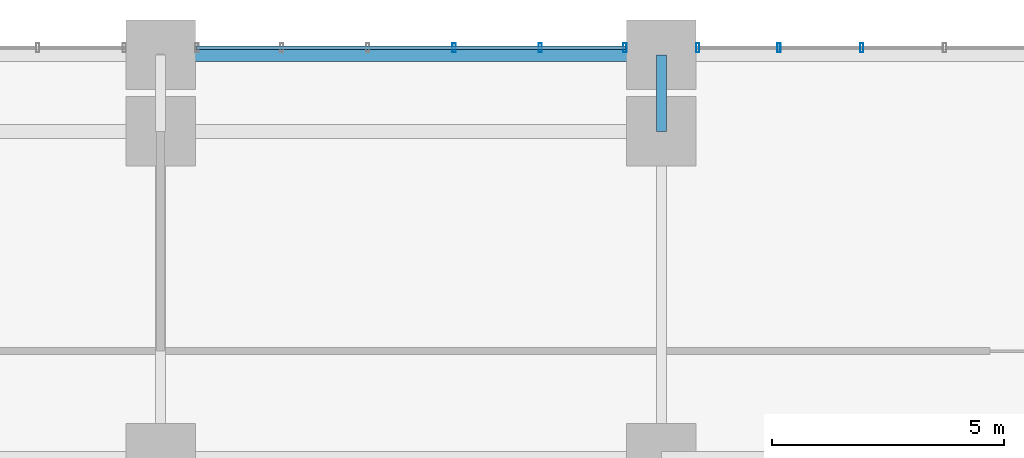
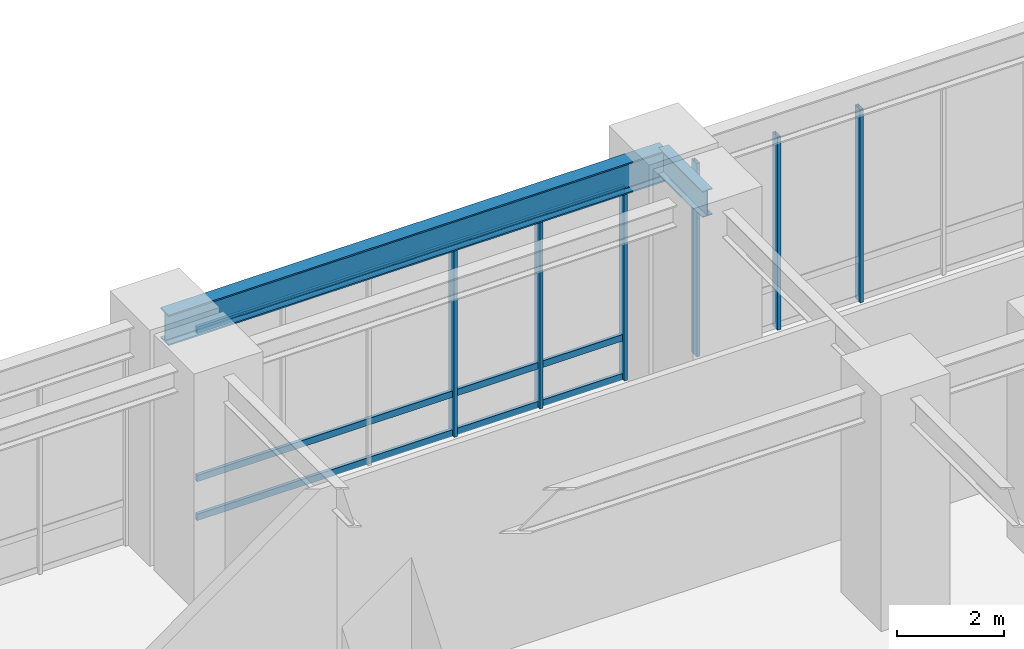
# One storey, part 8 of 22: 9 members, 2 beams, 2 elements without a shape of their own.
"""IFC4 building model written with IfcOpenShell, lengths in metres."""

import ifcopenshell
import ifcopenshell.guid

model = None  # the IFC model being written
_history = None  # IfcOwnerHistory: only IFC2X3 demands one
_inside = {}  # id of a spatial element -> (the spatial element, [elements in it])
_under = {}  # id of a project, library or spatial element -> (it, [spatial elements below it])
_declared = {}  # id of a project -> (the project, [libraries it declares])
_typed = {}  # id of a type object -> (the type object, [elements of that type])
_made_of = {}  # id of a material, layer set ... -> (it, [elements and type objects made of it])


def new_model(schema):
    """Start an empty IFC model of exactly this schema.

    Asked for "IFC4X3", IfcOpenShell would pick the latest addendum, in which some entities
    have other attributes; the version numbers below select the first issue.
    IFC2X3 requires an IfcOwnerHistory on every rooted entity: one is made here for all.
    """
    global model, _history
    if schema == "IFC4X3":
        model = ifcopenshell.file(schema_version=(4, 3, 0, 0))
    else:
        model = ifcopenshell.file(schema=schema)
    _inside.clear()
    _under.clear()
    _declared.clear()
    _typed.clear()
    _made_of.clear()
    _history = None
    if model.schema == "IFC2X3":
        org = make("IfcOrganization", Name="unknown")
        user = make(
            "IfcPersonAndOrganization",
            ThePerson=make("IfcPerson", FamilyName="unknown"),
            TheOrganization=org,
        )
        app = make(
            "IfcApplication",
            ApplicationDeveloper=org,
            Version="unknown",
            ApplicationFullName="unknown",
            ApplicationIdentifier="unknown",
        )
        _history = make(
            "IfcOwnerHistory",
            OwningUser=user,
            OwningApplication=app,
            ChangeAction="ADDED",
            CreationDate=0,
        )
    return model


def make(cls, **values):
    """One entity of the class cls with the attributes given. An attribute that is None is left unset."""
    return model.create_entity(
        cls, **{name: value for name, value in values.items() if value is not None}
    )


def rooted(cls, **values):
    """An entity with a GlobalId (a new one), such as an element, a storey or a relation."""
    return make(cls, GlobalId=ifcopenshell.guid.new(), OwnerHistory=_history, **values)


def si_unit(unit_type, name, prefix=None):
    """IfcSIUnit, for example si_unit("LENGTHUNIT", "METRE", prefix="MILLI")."""
    return make("IfcSIUnit", UnitType=unit_type, Prefix=prefix, Name=name)


def assignment(units):
    """IfcUnitAssignment: the units of a project."""
    return None if units is None else make("IfcUnitAssignment", Units=units)


def point(xyz):
    """IfcCartesianPoint."""
    return None if xyz is None else make("IfcCartesianPoint", Coordinates=xyz)


def direction(xyz):
    """IfcDirection."""
    return None if xyz is None else make("IfcDirection", DirectionRatios=xyz)


def frame(location, z_axis=None, x_axis=None):
    """IfcAxis2Placement3D, a coordinate frame: its origin and axes. An axis left out is left unset."""
    return make(
        "IfcAxis2Placement3D",
        Location=point(location),
        Axis=direction(z_axis),
        RefDirection=direction(x_axis),
    )


def frame_2d(location, x_axis=None):
    """IfcAxis2Placement2D, a coordinate frame in the plane: its origin and x axis."""
    return make(
        "IfcAxis2Placement2D", Location=point(location), RefDirection=direction(x_axis)
    )


def origin():
    """The frame at (0, 0, 0) with its axes left unset."""
    return frame((0.0, 0.0, 0.0))


def origin_2d():
    """The frame at (0, 0) in the plane with its x axis left unset."""
    return frame_2d((0.0, 0.0))


def place(relative_to, where):
    """IfcLocalPlacement: puts the frame where relative to a parent placement (None: the world)."""
    return make(
        "IfcLocalPlacement", PlacementRelTo=relative_to, RelativePlacement=where
    )


def context(
    kind, dimensions, precision=None, world=None, true_north=None, identifier=None
):
    """IfcGeometricRepresentationContext, for example the 3D "Model" context."""
    return make(
        "IfcGeometricRepresentationContext",
        ContextIdentifier=identifier,
        ContextType=kind,
        CoordinateSpaceDimension=dimensions,
        Precision=precision,
        WorldCoordinateSystem=world,
        TrueNorth=true_north,
    )


def subcontext(parent, identifier, kind, view, scale=None):
    """IfcGeometricRepresentationSubContext, for example "Body" below "Model"."""
    return make(
        "IfcGeometricRepresentationSubContext",
        ContextIdentifier=identifier,
        ContextType=kind,
        ParentContext=parent,
        TargetScale=scale,
        TargetView=view,
    )


def project(units=None, contexts=None):
    """IfcProject with its units and contexts."""
    return rooted(
        "IfcProject",
        Name="project",
        RepresentationContexts=contexts,
        UnitsInContext=assignment(units),
    )


def spatial(cls, under=None, at=None, **own):
    """A site, building, storey or space (cls), placed at a placement, below another one or the project."""
    s = rooted(cls, ObjectPlacement=at, **own)
    if under is not None:
        _under.setdefault(under.id(), (under, []))[1].append(s)
    return s


def profile(cls, at=None, kind="AREA", **sizes):
    """A parametric profile (cls). Its sizes go by their IFC names, for example OverallWidth=200.0."""
    return make(cls, ProfileType=kind, Position=at, **sizes)


def hollow_rectangle(**sizes):
    """IfcRectangleHollowProfileDef."""
    return profile("IfcRectangleHollowProfileDef", **sizes)


def i_section(**sizes):
    """IfcIShapeProfileDef."""
    return profile("IfcIShapeProfileDef", **sizes)


def extrude(swept, where, along, depth):
    """IfcExtrudedAreaSolid: the profile swept, set in the frame where, extruded along a direction by depth."""
    return make(
        "IfcExtrudedAreaSolid",
        SweptArea=swept,
        Position=where,
        ExtrudedDirection=direction(along),
        Depth=depth,
    )


def shape(context_of_items, identifier, shape_type, items):
    """IfcShapeRepresentation: the items that make up one representation, for example the "Body"."""
    return make(
        "IfcShapeRepresentation",
        ContextOfItems=context_of_items,
        RepresentationIdentifier=identifier,
        RepresentationType=shape_type,
        Items=items,
    )


def source(mapping_origin, context_of_items, identifier, shape_type, items):
    """IfcRepresentationMap: a shape defined once, which mapped items show again and again."""
    return make(
        "IfcRepresentationMap",
        MappingOrigin=mapping_origin,
        MappedRepresentation=shape(context_of_items, identifier, shape_type, items),
    )


def transform(
    local_origin,
    x_axis=None,
    y_axis=None,
    z_axis=None,
    scale=None,
    scale2=None,
    scale3=None,
    uniform=True,
):
    """IfcCartesianTransformationOperator3D, or its non-uniform kind. x_axis, y_axis, z_axis: its Axis1, 2, 3."""
    if uniform:
        return make(
            "IfcCartesianTransformationOperator3D",
            Axis1=direction(x_axis),
            Axis2=direction(y_axis),
            LocalOrigin=point(local_origin),
            Scale=scale,
            Axis3=direction(z_axis),
        )
    return make(
        "IfcCartesianTransformationOperator3DnonUniform",
        Axis1=direction(x_axis),
        Axis2=direction(y_axis),
        LocalOrigin=point(local_origin),
        Scale=scale,
        Axis3=direction(z_axis),
        Scale2=scale2,
        Scale3=scale3,
    )


def mapped(mapping_source, mapping_target):
    """IfcMappedItem: shows the shape of a source again, moved by a transform."""
    return make(
        "IfcMappedItem", MappingSource=mapping_source, MappingTarget=mapping_target
    )


def material(Name=None, Category=None):
    """IfcMaterial."""
    return make("IfcMaterial", Name=Name, Category=Category)


def layer(
    of_material, thickness, ventilated=None, Name=None, Category=None, Priority=None
):
    """IfcMaterialLayer: one layer of a wall or slab, of a material (None: an air gap)."""
    return make(
        "IfcMaterialLayer",
        Material=of_material,
        LayerThickness=thickness,
        IsVentilated=ventilated,
        Name=Name,
        Category=Category,
        Priority=Priority,
    )


def layer_set(layers, Name=None):
    """IfcMaterialLayerSet."""
    return make("IfcMaterialLayerSet", MaterialLayers=layers, LayerSetName=Name)


def material_profile(
    of_material, cross_section, Name=None, Category=None, Priority=None
):
    """IfcMaterialProfile: a cross section and its material."""
    return make(
        "IfcMaterialProfile",
        Name=Name,
        Material=of_material,
        Profile=cross_section,
        Priority=Priority,
        Category=Category,
    )


def profile_set(profiles, Name=None, composite=None):
    """IfcMaterialProfileSet."""
    return make(
        "IfcMaterialProfileSet",
        Name=Name,
        MaterialProfiles=profiles,
        CompositeProfile=composite,
    )


def made_of(thing, what):
    """Note that an element or type object is made of a material, layer set ...; save() writes the relation."""
    if what is not None:
        _made_of.setdefault(what.id(), (what, []))[1].append(thing)
    return thing


def type_object(cls, material=None, **own):
    """A type object (cls), such as IfcWallType, which elements share."""
    return made_of(rooted(cls, **own), material)


def element(
    cls,
    number,
    at=None,
    inside=None,
    cuts=None,
    type_object=None,
    material=None,
    context=None,
    identifier="Body",
    shape_type=None,
    held_by="IfcProductDefinitionShape",
    body=None,
    shapes=None,
    **own,
):
    """One element of the class cls, such as IfcWall. Its Tag is "e" and its number.

    at: its placement. inside: the storey or other place that contains it. cuts: it is an
    opening in that element (IfcRelVoidsElement). A single representation is given by context,
    identifier, shape_type and body (its items); several are given by shapes. held_by: the class
    of the entity that holds the representations. save() writes the other relations.
    """
    e = rooted(cls, Tag="e%d" % number, ObjectPlacement=at, **own)
    if body is not None:
        shapes = [shape(context, identifier, shape_type, body)]
    if shapes is not None:
        e.Representation = make(held_by, Representations=shapes)
    if inside is not None:
        _inside.setdefault(inside.id(), (inside, []))[1].append(e)
    if cuts is not None:
        rooted(
            "IfcRelVoidsElement", RelatingBuildingElement=cuts, RelatedOpeningElement=e
        )
    if type_object is not None:
        _typed.setdefault(type_object.id(), (type_object, []))[1].append(e)
    return made_of(e, material)


def aggregate(whole, parts):
    """IfcRelAggregates: a whole, such as a stair, and the parts it consists of."""
    return rooted("IfcRelAggregates", RelatingObject=whole, RelatedObjects=parts)


def save(model, path):
    """Write the relations noted so far, then the file.

    IfcRelAggregates (storeys below a building ...), IfcRelContainedInSpatialStructure (elements
    in a storey), IfcRelDefinesByType, IfcRelAssociatesMaterial and IfcRelDeclares: one each for
    every whole, place, type object, material and project.
    """
    for whole, parts in _under.values():
        aggregate(whole, parts)
    for where, things in _inside.values():
        rooted(
            "IfcRelContainedInSpatialStructure",
            RelatedElements=things,
            RelatingStructure=where,
        )
    for kind, things in _typed.values():
        rooted("IfcRelDefinesByType", RelatedObjects=things, RelatingType=kind)
    for what, things in _made_of.values():
        rooted("IfcRelAssociatesMaterial", RelatedObjects=things, RelatingMaterial=what)
    for by, libraries in _declared.values():
        rooted("IfcRelDeclares", RelatingContext=by, RelatedDefinitions=libraries)
    model.write(path)


model = new_model("IFC4")

# Units and contexts
model_context = context("Model", 3, precision=1e-05, world=origin(), true_north=direction((0.0, 1.0)))
body_context = subcontext(model_context, "Body", "Model", "MODEL_VIEW")
ifc_project = project(units=[si_unit("LENGTHUNIT", "METRE"), si_unit("AREAUNIT", "SQUARE_METRE"), si_unit("VOLUMEUNIT", "CUBIC_METRE"), si_unit("PLANEANGLEUNIT", "RADIAN"), si_unit("MASSUNIT", "GRAM", prefix="KILO")], contexts=[model_context])

# Site, building, storey
site_placement = place(None, origin())
site = spatial("IfcSite", under=ifc_project, at=site_placement, CompositionType="ELEMENT")
building_placement = place(site_placement, origin())
building = spatial("IfcBuilding", under=site, at=building_placement, Name="Kaliganga Portal Commons", CompositionType="ELEMENT")
storey_placement = place(building_placement, origin())
storey = spatial("IfcBuildingStorey", under=building, at=storey_placement, Name="L00", CompositionType="ELEMENT", Elevation=0.0)

# Beams
ifc_material_1 = material(Name="Structural steel S355J2", Category="steel")
ifc_material_profile_1 = material_profile(ifc_material_1, i_section(OverallWidth=0.300048828125, OverallDepth=0.699951171875, WebThickness=0.01708984375, FlangeThickness=0.031982421875, FilletRadius=0.027099609375, at=origin_2d()), Name="HE 700 B")
ifc_profile_set_1 = profile_set([ifc_material_profile_1], Name="Structural steel S355J2 wide-flange")
beam_type_1 = type_object("IfcBeamType", Name="BM-GIRD-700", PredefinedType="USERDEFINED", material=ifc_profile_set_1)
shared_shape_1 = source(origin(), body_context, "Body", "SweptSolid", [
    extrude(i_section(OverallWidth=0.300048828125, OverallDepth=0.699951171875, WebThickness=0.01708984375, FlangeThickness=0.031982421875, FilletRadius=0.027099609375, at=origin_2d()), origin(), (0.0, 0.0, 1.0), 10.800048828125),
])
beam_1_placement = place(storey_placement, frame((36.0, 44.85009765625, 4.77001953125), z_axis=(1.0, 0.0, 0.0), x_axis=(0.0, 1.0, 0.0)))
element("IfcBeam", 1, at=beam_1_placement, inside=storey, type_object=beam_type_1, Name="BM PODP L00 N44 4", ObjectType="GIRDER", PredefinedType="USERDEFINED", context=body_context, shape_type="MappedRepresentation", body=[
    mapped(shared_shape_1, transform((0.0, 0.0, 0.0), x_axis=(1.0, 0.0, 0.0), y_axis=(0.0, 1.0, 0.0), z_axis=(0.0, 0.0, 1.0), scale=1.0)),
])
ifc_material_profile_2 = material_profile(ifc_material_1, i_section(OverallWidth=0.219970703125, OverallDepth=0.60009765625, WebThickness=0.011962890625, FlangeThickness=0.01904296875, FilletRadius=0.02392578125, at=origin_2d()), Name="IPE 600")
ifc_profile_set_2 = profile_set([ifc_material_profile_2], Name="Structural steel S355J2 wide-flange")
beam_type_2 = type_object("IfcBeamType", Name="BM-FLR-600", PredefinedType="BEAM", material=ifc_profile_set_2)
shared_shape_2 = source(origin(), body_context, "Body", "SweptSolid", [
    extrude(i_section(OverallWidth=0.219970703125, OverallDepth=0.60009765625, WebThickness=0.011962890625, FlangeThickness=0.01904296875, FilletRadius=0.02392578125, at=origin_2d()), origin(), (0.0, 0.0, 1.0), 1.650146484375),
])
beam_2_placement = place(storey_placement, frame((46.800048828125, 43.199951171875, 4.820068359375), z_axis=(0.0, 1.0, 0.0), x_axis=(-1.0, 0.0, 0.0)))
element("IfcBeam", 2, at=beam_2_placement, inside=storey, type_object=beam_type_2, Name="BM PODP L00 NT46", PredefinedType="BEAM", context=body_context, shape_type="MappedRepresentation", body=[
    mapped(shared_shape_2, transform((0.0, 0.0, 0.0), x_axis=(1.0, 0.0, 0.0), y_axis=(0.0, 1.0, 0.0), z_axis=(0.0, 0.0, 1.0), scale=1.0)),
])

# Curtain wall, members
ifc_material_2 = material(Name="Anodized Aluminium and Laminated Low-E Glass", Category="aluminium")
ifc_layer = layer(ifc_material_2, 0.219970703125)
ifc_layer_set = layer_set([ifc_layer], Name="Anodized Aluminium and Laminated Low-E Glass")
curtain_wall_type = type_object("IfcCurtainWallType", Name="CW-SYS-01", PredefinedType="NOTDEFINED", material=ifc_layer_set)
curtain_wall_1_placement = place(storey_placement, origin())
curtain_wall_1 = element("IfcCurtainWall", 3, at=curtain_wall_1_placement, inside=storey, type_object=curtain_wall_type, Name="CW 01 L00 P1E02S3", PredefinedType="NOTDEFINED")
ifc_material_3 = material(Name="Dark Bronze Anodized Aluminium", Category="aluminium")
ifc_material_profile_3 = material_profile(ifc_material_3, hollow_rectangle(XDim=0.070068359375, YDim=0.199951171875, WallThickness=0.00390625, at=origin_2d()), Name="ALU MULL 70x200x4")
ifc_profile_set_3 = profile_set([ifc_material_profile_3], Name="Dark Bronze Anodized Aluminium")
member_type_1 = type_object("IfcMemberType", Name="CW-MUL-220", PredefinedType="MULLION", material=ifc_profile_set_3)
shared_shape_3 = source(origin(), body_context, "Body", "SweptSolid", [
    extrude(hollow_rectangle(XDim=0.070068359375, YDim=0.199951171875, WallThickness=0.00390625, at=origin_2d()), origin(), (0.0, 0.0, 1.0), 4.419921875),
])
member_1_placement = place(storey_placement, frame((51.121826171875, 45.0, 0.0), z_axis=(0.0, 0.0, 1.0), x_axis=(-1.0, 0.0, 0.0)))
member_1 = element("IfcMember", 4, at=member_1_placement, type_object=member_type_1, Name="CW:01:L00:P1E02S3 Mullion 05", PredefinedType="MULLION", context=body_context, shape_type="MappedRepresentation", body=[
    mapped(shared_shape_3, transform((0.0, 0.0, 0.0), x_axis=(1.0, 0.0, 0.0), y_axis=(0.0, 1.0, 0.0), z_axis=(0.0, 0.0, 1.0), scale=1.0)),
])
member_2_placement = place(storey_placement, frame((49.33642578125, 45.0, 0.0), z_axis=(0.0, 0.0, 1.0), x_axis=(-1.0, 0.0, 0.0)))
member_2 = element("IfcMember", 5, at=member_2_placement, type_object=member_type_1, Name="CW:01:L00:P1E02S3 Mullion 06", PredefinedType="MULLION", context=body_context, shape_type="MappedRepresentation", body=[
    mapped(shared_shape_3, transform((0.0, 0.0, 0.0), x_axis=(1.0, 0.0, 0.0), y_axis=(0.0, 1.0, 0.0), z_axis=(0.0, 0.0, 1.0), scale=1.0)),
])
member_3_placement = place(storey_placement, frame((47.5859375, 45.0, 0.0), z_axis=(0.0, 0.0, 1.0), x_axis=(-1.0, 0.0, 0.0)))
member_3 = element("IfcMember", 6, at=member_3_placement, type_object=member_type_1, Name="CW:01:L00:P1E02S3 Mullion 07", PredefinedType="MULLION", context=body_context, shape_type="MappedRepresentation", body=[
    mapped(shared_shape_3, transform((0.0, 0.0, 0.0), x_axis=(1.0, 0.0, 0.0), y_axis=(0.0, 1.0, 0.0), z_axis=(0.0, 0.0, 1.0), scale=1.0)),
])
aggregate(curtain_wall_1, [member_1, member_2, member_3])

curtain_wall_2_placement = place(storey_placement, origin())
curtain_wall_2 = element("IfcCurtainWall", 7, at=curtain_wall_2_placement, inside=storey, type_object=curtain_wall_type, Name="CW 01 L00 P1E02S4", PredefinedType="NOTDEFINED")
member_4_placement = place(storey_placement, frame((46.013916015625, 45.0, 0.0), z_axis=(0.0, 0.0, 1.0), x_axis=(-1.0, 0.0, 0.0)))
member_4 = element("IfcMember", 8, at=member_4_placement, type_object=member_type_1, Name="CW:01:L00:P1E02S4 Mullion 00", PredefinedType="MULLION", context=body_context, shape_type="MappedRepresentation", body=[
    mapped(shared_shape_3, transform((0.0, 0.0, 0.0), x_axis=(1.0, 0.0, 0.0), y_axis=(0.0, 1.0, 0.0), z_axis=(0.0, 0.0, 1.0), scale=1.0)),
])
member_5_placement = place(storey_placement, frame((44.189453125, 45.0, 0.0), z_axis=(0.0, 0.0, 1.0), x_axis=(-1.0, 0.0, 0.0)))
member_5 = element("IfcMember", 9, at=member_5_placement, type_object=member_type_1, Name="CW:01:L00:P1E02S4 Mullion 01", PredefinedType="MULLION", context=body_context, shape_type="MappedRepresentation", body=[
    mapped(shared_shape_3, transform((0.0, 0.0, 0.0), x_axis=(1.0, 0.0, 0.0), y_axis=(0.0, 1.0, 0.0), z_axis=(0.0, 0.0, 1.0), scale=1.0)),
])
member_6_placement = place(storey_placement, frame((42.329833984375, 45.0, 0.0), z_axis=(0.0, 0.0, 1.0), x_axis=(-1.0, 0.0, 0.0)))
member_6 = element("IfcMember", 10, at=member_6_placement, type_object=member_type_1, Name="CW:01:L00:P1E02S4 Mullion 02", PredefinedType="MULLION", context=body_context, shape_type="MappedRepresentation", body=[
    mapped(shared_shape_3, transform((0.0, 0.0, 0.0), x_axis=(1.0, 0.0, 0.0), y_axis=(0.0, 1.0, 0.0), z_axis=(0.0, 0.0, 1.0), scale=1.0)),
])
ifc_material_profile_4 = material_profile(ifc_material_3, hollow_rectangle(XDim=0.070068359375, YDim=0.14990234375, WallThickness=0.00341796875, at=origin_2d()), Name="ALU TRAN 70x150x3.5")
ifc_profile_set_4 = profile_set([ifc_material_profile_4], Name="Dark Bronze Anodized Aluminium")
member_type_2 = type_object("IfcMemberType", Name="CW-TRN-150", PredefinedType="USERDEFINED", material=ifc_profile_set_4)
shared_shape_4 = source(origin(), body_context, "Body", "SweptSolid", [
    extrude(hollow_rectangle(XDim=0.070068359375, YDim=0.14990234375, WallThickness=0.00341796875, at=origin_2d()), origin(), (0.0, 0.0, 1.0), 9.258056640625),
])
member_7_placement = place(storey_placement, frame((46.029052734375, 45.0, 0.06005859375), z_axis=(-1.0, 0.0, 0.0), x_axis=(0.0, -1.0, 0.0)))
member_7 = element("IfcMember", 11, at=member_7_placement, type_object=member_type_2, Name="CW:01:L00:P1E02S4 Transom 1", ObjectType="TRANSOM", PredefinedType="USERDEFINED", context=body_context, shape_type="MappedRepresentation", body=[
    mapped(shared_shape_4, transform((0.0, 0.0, 0.0), x_axis=(1.0, 0.0, 0.0), y_axis=(0.0, 1.0, 0.0), z_axis=(0.0, 0.0, 1.0), scale=1.0)),
])
member_8_placement = place(storey_placement, frame((46.029052734375, 45.0, 0.949951171875), z_axis=(-1.0, 0.0, 0.0), x_axis=(0.0, -1.0, 0.0)))
member_8 = element("IfcMember", 12, at=member_8_placement, type_object=member_type_2, Name="CW:01:L00:P1E02S4 Transom 2", ObjectType="TRANSOM", PredefinedType="USERDEFINED", context=body_context, shape_type="MappedRepresentation", body=[
    mapped(shared_shape_4, transform((0.0, 0.0, 0.0), x_axis=(1.0, 0.0, 0.0), y_axis=(0.0, 1.0, 0.0), z_axis=(0.0, 0.0, 1.0), scale=1.0)),
])
member_9_placement = place(storey_placement, frame((46.029052734375, 45.0, 4.340087890625), z_axis=(-1.0, 0.0, 0.0), x_axis=(0.0, -1.0, 0.0)))
member_9 = element("IfcMember", 13, at=member_9_placement, type_object=member_type_2, Name="CW:01:L00:P1E02S4 Transom 3", ObjectType="TRANSOM", PredefinedType="USERDEFINED", context=body_context, shape_type="MappedRepresentation", body=[
    mapped(shared_shape_4, transform((0.0, 0.0, 0.0), x_axis=(1.0, 0.0, 0.0), y_axis=(0.0, 1.0, 0.0), z_axis=(0.0, 0.0, 1.0), scale=1.0)),
])
aggregate(curtain_wall_2, [member_4, member_5, member_6, member_7, member_8, member_9])

save(model, "model.ifc")
